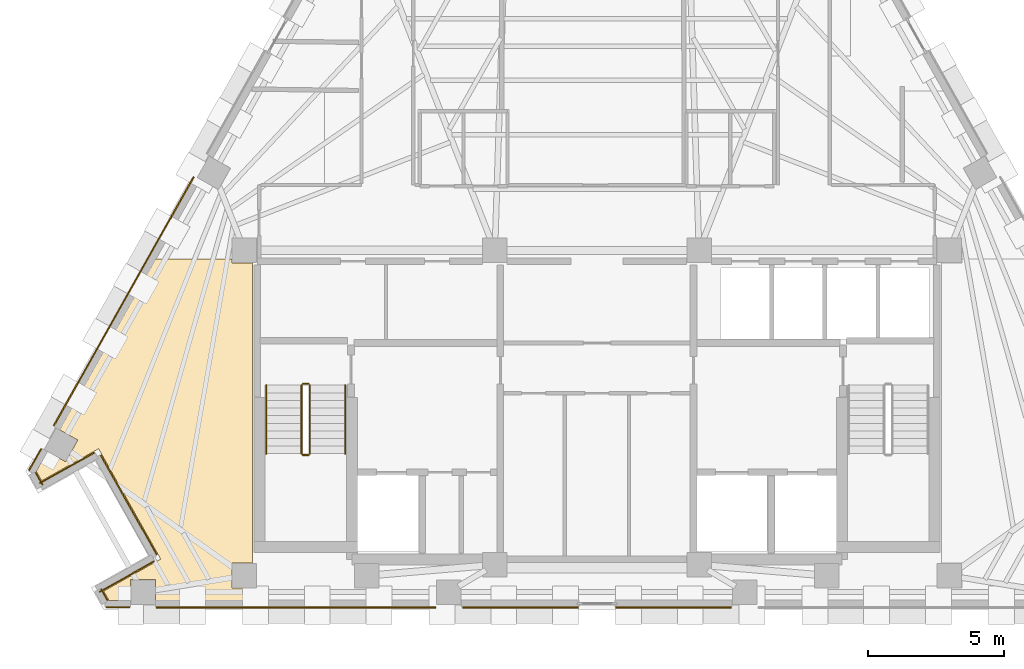
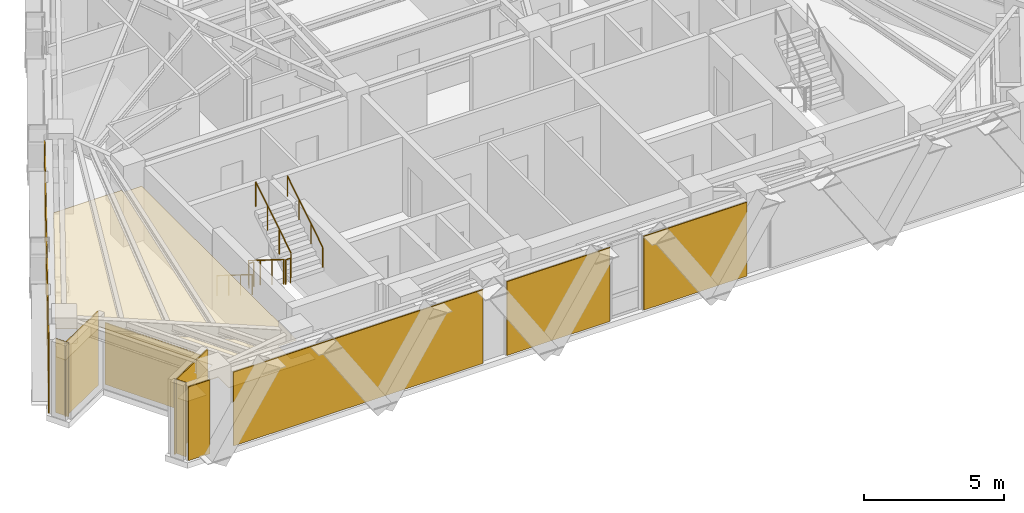
# One storey, part 10 of 12: 12 coverings, 6 railings.
"""IFC4 building model written with IfcOpenShell, lengths in metres."""

import ifcopenshell
import ifcopenshell.guid

model = None  # the IFC model being written
_history = None  # IfcOwnerHistory: only IFC2X3 demands one
_inside = {}  # id of a spatial element -> (the spatial element, [elements in it])
_under = {}  # id of a project, library or spatial element -> (it, [spatial elements below it])
_declared = {}  # id of a project -> (the project, [libraries it declares])
_typed = {}  # id of a type object -> (the type object, [elements of that type])
_made_of = {}  # id of a material, layer set ... -> (it, [elements and type objects made of it])


def new_model(schema):
    """Start an empty IFC model of exactly this schema.

    Asked for "IFC4X3", IfcOpenShell would pick the latest addendum, in which some entities
    have other attributes; the version numbers below select the first issue.
    IFC2X3 requires an IfcOwnerHistory on every rooted entity: one is made here for all.
    """
    global model, _history
    if schema == "IFC4X3":
        model = ifcopenshell.file(schema_version=(4, 3, 0, 0))
    else:
        model = ifcopenshell.file(schema=schema)
    _inside.clear()
    _under.clear()
    _declared.clear()
    _typed.clear()
    _made_of.clear()
    _history = None
    if model.schema == "IFC2X3":
        org = make("IfcOrganization", Name="unknown")
        user = make(
            "IfcPersonAndOrganization",
            ThePerson=make("IfcPerson", FamilyName="unknown"),
            TheOrganization=org,
        )
        app = make(
            "IfcApplication",
            ApplicationDeveloper=org,
            Version="unknown",
            ApplicationFullName="unknown",
            ApplicationIdentifier="unknown",
        )
        _history = make(
            "IfcOwnerHistory",
            OwningUser=user,
            OwningApplication=app,
            ChangeAction="ADDED",
            CreationDate=0,
        )
    return model


def make(cls, **values):
    """One entity of the class cls with the attributes given. An attribute that is None is left unset."""
    return model.create_entity(
        cls, **{name: value for name, value in values.items() if value is not None}
    )


def rooted(cls, **values):
    """An entity with a GlobalId (a new one), such as an element, a storey or a relation."""
    return make(cls, GlobalId=ifcopenshell.guid.new(), OwnerHistory=_history, **values)


def si_unit(unit_type, name, prefix=None):
    """IfcSIUnit, for example si_unit("LENGTHUNIT", "METRE", prefix="MILLI")."""
    return make("IfcSIUnit", UnitType=unit_type, Prefix=prefix, Name=name)


def assignment(units):
    """IfcUnitAssignment: the units of a project."""
    return None if units is None else make("IfcUnitAssignment", Units=units)


def point(xyz):
    """IfcCartesianPoint."""
    return None if xyz is None else make("IfcCartesianPoint", Coordinates=xyz)


def direction(xyz):
    """IfcDirection."""
    return None if xyz is None else make("IfcDirection", DirectionRatios=xyz)


def frame(location, z_axis=None, x_axis=None):
    """IfcAxis2Placement3D, a coordinate frame: its origin and axes. An axis left out is left unset."""
    return make(
        "IfcAxis2Placement3D",
        Location=point(location),
        Axis=direction(z_axis),
        RefDirection=direction(x_axis),
    )


def frame_2d(location, x_axis=None):
    """IfcAxis2Placement2D, a coordinate frame in the plane: its origin and x axis."""
    return make(
        "IfcAxis2Placement2D", Location=point(location), RefDirection=direction(x_axis)
    )


def origin():
    """The frame at (0, 0, 0) with its axes left unset."""
    return frame((0.0, 0.0, 0.0))


def origin_2d():
    """The frame at (0, 0) in the plane with its x axis left unset."""
    return frame_2d((0.0, 0.0))


def place(relative_to, where):
    """IfcLocalPlacement: puts the frame where relative to a parent placement (None: the world)."""
    return make(
        "IfcLocalPlacement", PlacementRelTo=relative_to, RelativePlacement=where
    )


def context(
    kind, dimensions, precision=None, world=None, true_north=None, identifier=None
):
    """IfcGeometricRepresentationContext, for example the 3D "Model" context."""
    return make(
        "IfcGeometricRepresentationContext",
        ContextIdentifier=identifier,
        ContextType=kind,
        CoordinateSpaceDimension=dimensions,
        Precision=precision,
        WorldCoordinateSystem=world,
        TrueNorth=true_north,
    )


def subcontext(parent, identifier, kind, view, scale=None):
    """IfcGeometricRepresentationSubContext, for example "Body" below "Model"."""
    return make(
        "IfcGeometricRepresentationSubContext",
        ContextIdentifier=identifier,
        ContextType=kind,
        ParentContext=parent,
        TargetScale=scale,
        TargetView=view,
    )


def project(units=None, contexts=None):
    """IfcProject with its units and contexts."""
    return rooted(
        "IfcProject",
        Name="project",
        RepresentationContexts=contexts,
        UnitsInContext=assignment(units),
    )


def spatial(cls, under=None, at=None, **own):
    """A site, building, storey or space (cls), placed at a placement, below another one or the project."""
    s = rooted(cls, ObjectPlacement=at, **own)
    if under is not None:
        _under.setdefault(under.id(), (under, []))[1].append(s)
    return s


def polyline(points):
    """IfcPolyline through the points."""
    return make("IfcPolyline", Points=[point(p) for p in points])


def profile(cls, at=None, kind="AREA", **sizes):
    """A parametric profile (cls). Its sizes go by their IFC names, for example OverallWidth=200.0."""
    return make(cls, ProfileType=kind, Position=at, **sizes)


def circle(**sizes):
    """IfcCircleProfileDef."""
    return profile("IfcCircleProfileDef", **sizes)


def outline(outer, holes=None, kind="AREA"):
    """IfcArbitraryClosedProfileDef: a profile drawn as a closed curve; with holes, ...WithVoids."""
    if holes is None:
        return make("IfcArbitraryClosedProfileDef", ProfileType=kind, OuterCurve=outer)
    return make(
        "IfcArbitraryProfileDefWithVoids",
        ProfileType=kind,
        OuterCurve=outer,
        InnerCurves=holes,
    )


def extrude(swept, where, along, depth):
    """IfcExtrudedAreaSolid: the profile swept, set in the frame where, extruded along a direction by depth."""
    return make(
        "IfcExtrudedAreaSolid",
        SweptArea=swept,
        Position=where,
        ExtrudedDirection=direction(along),
        Depth=depth,
    )


def shape(context_of_items, identifier, shape_type, items):
    """IfcShapeRepresentation: the items that make up one representation, for example the "Body"."""
    return make(
        "IfcShapeRepresentation",
        ContextOfItems=context_of_items,
        RepresentationIdentifier=identifier,
        RepresentationType=shape_type,
        Items=items,
    )


def material(Name=None, Category=None):
    """IfcMaterial."""
    return make("IfcMaterial", Name=Name, Category=Category)


def layer(
    of_material, thickness, ventilated=None, Name=None, Category=None, Priority=None
):
    """IfcMaterialLayer: one layer of a wall or slab, of a material (None: an air gap)."""
    return make(
        "IfcMaterialLayer",
        Material=of_material,
        LayerThickness=thickness,
        IsVentilated=ventilated,
        Name=Name,
        Category=Category,
        Priority=Priority,
    )


def layer_set(layers, Name=None):
    """IfcMaterialLayerSet."""
    return make("IfcMaterialLayerSet", MaterialLayers=layers, LayerSetName=Name)


def made_of(thing, what):
    """Note that an element or type object is made of a material, layer set ...; save() writes the relation."""
    if what is not None:
        _made_of.setdefault(what.id(), (what, []))[1].append(thing)
    return thing


def type_object(cls, material=None, **own):
    """A type object (cls), such as IfcWallType, which elements share."""
    return made_of(rooted(cls, **own), material)


def element(
    cls,
    number,
    at=None,
    inside=None,
    cuts=None,
    type_object=None,
    material=None,
    context=None,
    identifier="Body",
    shape_type=None,
    held_by="IfcProductDefinitionShape",
    body=None,
    shapes=None,
    **own,
):
    """One element of the class cls, such as IfcWall. Its Tag is "e" and its number.

    at: its placement. inside: the storey or other place that contains it. cuts: it is an
    opening in that element (IfcRelVoidsElement). A single representation is given by context,
    identifier, shape_type and body (its items); several are given by shapes. held_by: the class
    of the entity that holds the representations. save() writes the other relations.
    """
    e = rooted(cls, Tag="e%d" % number, ObjectPlacement=at, **own)
    if body is not None:
        shapes = [shape(context, identifier, shape_type, body)]
    if shapes is not None:
        e.Representation = make(held_by, Representations=shapes)
    if inside is not None:
        _inside.setdefault(inside.id(), (inside, []))[1].append(e)
    if cuts is not None:
        rooted(
            "IfcRelVoidsElement", RelatingBuildingElement=cuts, RelatedOpeningElement=e
        )
    if type_object is not None:
        _typed.setdefault(type_object.id(), (type_object, []))[1].append(e)
    return made_of(e, material)


def aggregate(whole, parts):
    """IfcRelAggregates: a whole, such as a stair, and the parts it consists of."""
    return rooted("IfcRelAggregates", RelatingObject=whole, RelatedObjects=parts)


def save(model, path):
    """Write the relations noted so far, then the file.

    IfcRelAggregates (storeys below a building ...), IfcRelContainedInSpatialStructure (elements
    in a storey), IfcRelDefinesByType, IfcRelAssociatesMaterial and IfcRelDeclares: one each for
    every whole, place, type object, material and project.
    """
    for whole, parts in _under.values():
        aggregate(whole, parts)
    for where, things in _inside.values():
        rooted(
            "IfcRelContainedInSpatialStructure",
            RelatedElements=things,
            RelatingStructure=where,
        )
    for kind, things in _typed.values():
        rooted("IfcRelDefinesByType", RelatedObjects=things, RelatingType=kind)
    for what, things in _made_of.values():
        rooted("IfcRelAssociatesMaterial", RelatedObjects=things, RelatingMaterial=what)
    for by, libraries in _declared.values():
        rooted("IfcRelDeclares", RelatingContext=by, RelatedDefinitions=libraries)
    model.write(path)


model = new_model("IFC4")

# Units and contexts
model_context = context("Model", 3, precision=1e-05, world=origin(), true_north=direction((0.0, 1.0)))
body_context = subcontext(model_context, "Body", "Model", "MODEL_VIEW")
ifc_project = project(units=[si_unit("LENGTHUNIT", "METRE"), si_unit("AREAUNIT", "SQUARE_METRE"), si_unit("VOLUMEUNIT", "CUBIC_METRE"), si_unit("PLANEANGLEUNIT", "RADIAN"), si_unit("MASSUNIT", "GRAM", prefix="KILO")], contexts=[model_context])

# Site, building, storey
site_placement = place(None, origin())
site = spatial("IfcSite", under=ifc_project, at=site_placement, CompositionType="ELEMENT")
building_placement = place(site_placement, origin())
building = spatial("IfcBuilding", under=site, at=building_placement, Name="Quenlor Broadcast Tower", CompositionType="ELEMENT")
storey_placement = place(building_placement, frame((0.0, 0.0, 200.89990234375)))
storey = spatial("IfcBuildingStorey", under=building, at=storey_placement, Name="L55", CompositionType="ELEMENT", Elevation=200.89990234375)

# Coverings
ifc_material_1 = material(Name="Acoustic Mineral Fibre Board", Category="other")
ifc_layer_1 = layer(ifc_material_1, 0.02490234375)
ifc_layer_set_1 = layer_set([ifc_layer_1], Name="Acoustic Perforated Mineral Tile Ceiling 25")
covering_type_1 = type_object("IfcCoveringType", Name="Acoustic Perforated Mineral Tile Ceiling 25", PredefinedType="CEILING", material=ifc_layer_set_1)
covering_1_placement = place(storey_placement, frame((0.0, 0.0, 2.375)))
element("IfcCovering", 1, at=covering_1_placement, inside=storey, type_object=covering_type_1, Name="L55 Acoustic Ceiling L55-32-2", PredefinedType="CEILING", context=body_context, shape_type="SweptSolid", body=[
    extrude(outline(polyline([(-13.407958984375, -5.258056640625), (-12.64990234375, -5.258056640625), (-12.64990234375, -16.2919921875), (-13.407958984375, -16.2919921875), (-13.407958984375, -17.2080078125), (-12.64990234375, -17.2080078125), (-12.64990234375, -17.659912109375), (-16.218017578125, -17.659912109375), (-16.218017578125, -16.89208984375), (-17.1337890625, -16.89208984375), (-17.1337890625, -17.659912109375), (-17.927001953125, -17.659912109375), (-18.120849609375, -17.315673828125), (-16.029052734375, -16.138916015625), (-18.30859375, -12.08642578125), (-20.400390625, -13.26318359375), (-20.597900390625, -12.912109375), (-20.191162109375, -12.18896484375), (-19.52197265625, -12.5654296875), (-19.07275390625, -11.76708984375), (-19.7421875, -11.390625), (-16.21484375, -5.1201171875), (-13.407958984375, -5.1201171875), (-13.407958984375, -5.258056640625)])), origin(), (0.0, 0.0, 1.0), 0.025146484375),
])
ifc_material_2 = material(Name="Architectural Terracotta Ceramic", Category="masonry")
ifc_layer_2 = layer(ifc_material_2, 0.044921875)
ifc_layer_set_2 = layer_set([ifc_layer_2], Name="Fluted Terracotta Rainscreen Cladding Panel")
covering_type_2 = type_object("IfcCoveringType", Name="Fluted Terracotta Rainscreen Cladding Panel", PredefinedType="CLADDING", material=ifc_layer_set_2)
covering_2_placement = place(storey_placement, frame((0.0, 0.0, 0.02001953125)))
element("IfcCovering", 2, at=covering_2_placement, inside=storey, type_object=covering_type_2, Name="L55 Terracotta Rainscreen Cladding L55-SHD-SS1", PredefinedType="CLADDING", context=body_context, shape_type="SweptSolid", body=[
    extrude(outline(polyline([(-17.160888671875, -17.886962890625), (-18.035888671875, -17.886962890625), (-18.035888671875, -17.931884765625), (-17.160888671875, -17.931884765625), (-17.160888671875, -17.886962890625)])), origin(), (0.0, 0.0, 1.0), 3.2099609375),
])
covering_3_placement = place(storey_placement, frame((0.0, 0.0, 0.02001953125)))
element("IfcCovering", 3, at=covering_3_placement, inside=storey, type_object=covering_type_2, Name="L55 Terracotta Rainscreen Cladding L55-EW-SC", PredefinedType="CLADDING", context=body_context, shape_type="SweptSolid", body=[
    extrude(outline(polyline([(-5.9228515625, -17.89697265625), (-16.19091796875, -17.89697265625), (-16.19091796875, -17.94189453125), (-5.9228515625, -17.94189453125), (-5.9228515625, -17.89697265625)])), origin(), (0.0, 0.0, 1.0), 3.2099609375),
])
covering_4_placement = place(storey_placement, frame((0.0, 0.0, 0.02001953125)))
element("IfcCovering", 4, at=covering_4_placement, inside=storey, type_object=covering_type_2, Name="L55 Terracotta Rainscreen Cladding L55-S-SP1", PredefinedType="CLADDING", context=body_context, shape_type="SweptSolid", body=[
    extrude(outline(polyline([(4.937744140625, -17.89697265625), (0.6923828125, -17.89697265625), (0.6923828125, -17.94189453125), (4.937744140625, -17.94189453125), (4.937744140625, -17.89697265625)])), origin(), (0.0, 0.0, 1.0), 3.2099609375),
])
covering_5_placement = place(storey_placement, frame((0.0, 0.0, 0.02001953125)))
element("IfcCovering", 5, at=covering_5_placement, inside=storey, type_object=covering_type_2, Name="L55 Terracotta Rainscreen Cladding L55-S-SP2", PredefinedType="CLADDING", context=body_context, shape_type="SweptSolid", body=[
    extrude(outline(polyline([(-0.6923828125, -17.89697265625), (-4.937744140625, -17.89697265625), (-4.937744140625, -17.94189453125), (-0.6923828125, -17.94189453125), (-0.6923828125, -17.89697265625)])), origin(), (0.0, 0.0, 1.0), 3.2099609375),
])
covering_6_placement = place(storey_placement, frame((0.0, 0.0, 0.02001953125)))
element("IfcCovering", 6, at=covering_6_placement, inside=storey, type_object=covering_type_2, Name="L55 Terracotta Rainscreen Cladding L55-SHD-NWS0", PredefinedType="CLADDING", context=body_context, shape_type="SweptSolid", body=[
    extrude(outline(polyline([(-20.845458984375, -12.888916015625), (-20.402099609375, -12.10107421875), (-20.44140625, -12.0791015625), (-20.884521484375, -12.866943359375), (-20.845458984375, -12.888916015625)])), origin(), (0.0, 0.0, 1.0), 3.2099609375),
])
covering_7_placement = place(storey_placement, frame((0.0, 0.0, 0.02001953125)))
element("IfcCovering", 7, at=covering_7_placement, inside=storey, type_object=covering_type_2, Name="L55 Terracotta Rainscreen Cladding L55-EW-NWA", PredefinedType="CLADDING", context=body_context, shape_type="SweptSolid", body=[
    extrude(outline(polyline([(-19.935302734375, -11.250732421875), (-14.7919921875, -2.106689453125), (-14.831298828125, -2.084716796875), (-19.974609375, -11.228759765625), (-19.935302734375, -11.250732421875)])), origin(), (0.0, 0.0, 1.0), 3.2099609375),
])
covering_8_placement = place(storey_placement, frame((0.0, 0.0, 0.02001953125)))
element("IfcCovering", 8, at=covering_8_placement, inside=storey, type_object=covering_type_2, Name="L55 Terracotta Rainscreen Cladding L55-CNR-12", PredefinedType="CLADDING", context=body_context, shape_type="SweptSolid", body=[
    extrude(outline(polyline([(-20.64306640625, -12.970458984375), (-20.38623046875, -13.427001953125), (-20.346923828125, -13.405029296875), (-20.60400390625, -12.948486328125), (-20.64306640625, -12.970458984375)])), origin(), (0.0, 0.0, 1.0), 3.2099609375),
])
covering_9_placement = place(storey_placement, frame((0.0, 0.0, 0.02001953125)))
element("IfcCovering", 9, at=covering_9_placement, inside=storey, type_object=covering_type_2, Name="L55 Terracotta Rainscreen Cladding L55-CNR-13", PredefinedType="CLADDING", context=body_context, shape_type="SweptSolid", body=[
    extrude(outline(polyline([(-20.462890625, -13.376220703125), (-18.45849609375, -12.248779296875), (-18.48046875, -12.20947265625), (-20.485107421875, -13.337158203125), (-20.462890625, -13.376220703125)])), origin(), (0.0, 0.0, 1.0), 3.2099609375),
])
covering_10_placement = place(storey_placement, frame((0.0, 0.0, 0.02001953125)))
element("IfcCovering", 10, at=covering_10_placement, inside=storey, type_object=covering_type_2, Name="L55 Terracotta Rainscreen Cladding L55-CNR-14", PredefinedType="CLADDING", context=body_context, shape_type="SweptSolid", body=[
    extrude(outline(polyline([(-18.245361328125, -12.337646484375), (-16.19140625, -15.9892578125), (-16.152099609375, -15.96728515625), (-18.206298828125, -12.315673828125), (-18.245361328125, -12.337646484375)])), origin(), (0.0, 0.0, 1.0), 2.681884765625),
])
covering_11_placement = place(storey_placement, frame((0.0, 0.0, 0.02001953125)))
element("IfcCovering", 11, at=covering_11_placement, inside=storey, type_object=covering_type_2, Name="L55 Terracotta Rainscreen Cladding L55-CNR-15", PredefinedType="CLADDING", context=body_context, shape_type="SweptSolid", body=[
    extrude(outline(polyline([(-16.2802734375, -16.2021484375), (-18.284912109375, -17.329833984375), (-18.262939453125, -17.368896484375), (-16.25830078125, -16.241455078125), (-16.2802734375, -16.2021484375)])), origin(), (0.0, 0.0, 1.0), 3.2099609375),
])
covering_12_placement = place(storey_placement, frame((0.0, 0.0, 0.02001953125)))
element("IfcCovering", 12, at=covering_12_placement, inside=storey, type_object=covering_type_2, Name="L55 Terracotta Rainscreen Cladding L55-CNR-16", PredefinedType="CLADDING", context=body_context, shape_type="SweptSolid", body=[
    extrude(outline(polyline([(-18.234130859375, -17.2529296875), (-17.99853515625, -17.671875), (-17.959228515625, -17.64990234375), (-18.19482421875, -17.23095703125), (-18.234130859375, -17.2529296875)])), origin(), (0.0, 0.0, 1.0), 3.2099609375),
])

# Railings
ifc_material_3 = material(Name="Anodised Aluminium", Category="aluminium")
railing_type_1 = type_object("IfcRailingType", Name="Stainless Aluminium Wall Handrail 900", PredefinedType="HANDRAIL", material=ifc_material_3)
railing_1_placement = place(storey_placement, frame((-12.14990234375, -9.75, 0.175048828125)))
element("IfcRailing", 13, at=railing_1_placement, inside=storey, type_object=railing_type_1, Name="L55 ST-1 stair handrail 1", PredefinedType="HANDRAIL", context=body_context, shape_type="SweptSolid", body=[
    extrude(circle(Radius=0.02392578125, at=origin_2d()), frame((0.0, 0.0, 0.8759765625), z_axis=(0.0, -0.848007534815, 0.529984170421), x_axis=(1.0, 0.0, 0.0)), (0.0, 0.0, 1.0), 2.9716796875),
    extrude(circle(Radius=0.02099609375, at=origin_2d()), origin(), (0.0, 0.0, 1.0), 0.851806640625),
    extrude(circle(Radius=0.02099609375, at=origin_2d()), frame((0.0, -0.840087890625, 0.52490234375)), (0.0, 0.0, 1.0), 0.851806640625),
    extrude(circle(Radius=0.02099609375, at=origin_2d()), frame((0.0, -1.679931640625, 1.050048828125)), (0.0, 0.0, 1.0), 0.851806640625),
    extrude(circle(Radius=0.02099609375, at=origin_2d()), frame((0.0, -2.52001953125, 1.574951171875)), (0.0, 0.0, 1.0), 0.851806640625),
])
railing_2_placement = place(storey_placement, frame((-9.25, -12.27001953125, 1.925048828125)))
element("IfcRailing", 14, at=railing_2_placement, inside=storey, type_object=railing_type_1, Name="L55 ST-1 stair handrail 2", PredefinedType="HANDRAIL", context=body_context, shape_type="SweptSolid", body=[
    extrude(circle(Radius=0.02392578125, at=origin_2d()), frame((0.0, 0.0, 0.8759765625), z_axis=(0.0, 0.848007534815, 0.529984170421), x_axis=(-1.0, 0.0, 0.0)), (0.0, 0.0, 1.0), 2.9716796875),
    extrude(circle(Radius=0.02099609375, at=origin_2d()), origin(), (0.0, 0.0, 1.0), 0.851806640625),
    extrude(circle(Radius=0.02099609375, at=origin_2d()), frame((0.0, 0.840087890625, 0.52490234375)), (0.0, 0.0, 1.0), 0.851806640625),
    extrude(circle(Radius=0.02099609375, at=origin_2d()), frame((0.0, 1.679931640625, 1.050048828125)), (0.0, 0.0, 1.0), 0.851806640625),
    extrude(circle(Radius=0.02099609375, at=origin_2d()), frame((0.0, 2.52001953125, 1.574951171875)), (0.0, 0.0, 1.0), 0.851806640625),
])
ifc_material_4 = material(Name="Steel S355", Category="steel")
railing_type_2 = type_object("IfcRailingType", Name="Tubular Steel S355 Stair Guardrail 1100", PredefinedType="BALUSTRADE", material=ifc_material_4)
railing_3_placement = place(storey_placement, frame((-10.85009765625, -9.75, 0.175048828125)))
element("IfcRailing", 15, at=railing_3_placement, inside=storey, type_object=railing_type_2, Name="L55 ST-1 stair guard 1", PredefinedType="BALUSTRADE", context=body_context, shape_type="SweptSolid", body=[
    extrude(circle(Radius=0.02392578125, at=origin_2d()), frame((0.0, 0.0, 1.076171875), z_axis=(0.0, -0.848007534815, 0.529984170421), x_axis=(1.0, 0.0, 0.0)), (0.0, 0.0, 1.0), 2.9716796875),
    extrude(circle(Radius=0.02099609375, at=origin_2d()), origin(), (0.0, 0.0, 1.0), 1.052001953125),
    extrude(circle(Radius=0.02099609375, at=origin_2d()), frame((0.0, -0.840087890625, 0.52490234375)), (0.0, 0.0, 1.0), 1.052001953125),
    extrude(circle(Radius=0.02099609375, at=origin_2d()), frame((0.0, -1.679931640625, 1.050048828125)), (0.0, 0.0, 1.0), 1.052001953125),
    extrude(circle(Radius=0.02099609375, at=origin_2d()), frame((0.0, -2.52001953125, 1.574951171875)), (0.0, 0.0, 1.0), 1.052001953125),
])
railing_4_placement = place(storey_placement, frame((-10.800048828125, -12.320068359375, 1.75)))
element("IfcRailing", 16, at=railing_4_placement, inside=storey, type_object=railing_type_2, Name="L55 ST-1 stair guard 2", PredefinedType="BALUSTRADE", context=body_context, shape_type="SweptSolid", body=[
    extrude(circle(Radius=0.02392578125, at=origin_2d()), frame((0.0, 0.0, 1.076171875), z_axis=(1.0, 0.0, 0.0), x_axis=(0.0, 1.0, 0.0)), (0.0, 0.0, 1.0), 0.199951171875),
    extrude(circle(Radius=0.02099609375, at=origin_2d()), origin(), (0.0, 0.0, 1.0), 1.052001953125),
    extrude(circle(Radius=0.02099609375, at=origin_2d()), frame((0.199951171875, 0.0, 0.0)), (0.0, 0.0, 1.0), 1.052001953125),
])
railing_5_placement = place(storey_placement, frame((-10.550048828125, -12.27001953125, 1.925048828125)))
element("IfcRailing", 17, at=railing_5_placement, inside=storey, type_object=railing_type_2, Name="L55 ST-1 stair guard 3", PredefinedType="BALUSTRADE", context=body_context, shape_type="SweptSolid", body=[
    extrude(circle(Radius=0.02392578125, at=origin_2d()), frame((0.0, 0.0, 1.076171875), z_axis=(0.0, 0.848007534815, 0.529984170421), x_axis=(-1.0, 0.0, 0.0)), (0.0, 0.0, 1.0), 2.9716796875),
    extrude(circle(Radius=0.02099609375, at=origin_2d()), origin(), (0.0, 0.0, 1.0), 1.052001953125),
    extrude(circle(Radius=0.02099609375, at=origin_2d()), frame((0.0, 0.840087890625, 0.52490234375)), (0.0, 0.0, 1.0), 1.052001953125),
    extrude(circle(Radius=0.02099609375, at=origin_2d()), frame((0.0, 1.679931640625, 1.050048828125)), (0.0, 0.0, 1.0), 1.052001953125),
    extrude(circle(Radius=0.02099609375, at=origin_2d()), frame((0.0, 2.52001953125, 1.574951171875)), (0.0, 0.0, 1.0), 1.052001953125),
])
railing_6_placement = place(storey_placement, frame((-10.800048828125, -9.699951171875, 0.0)))
element("IfcRailing", 18, at=railing_6_placement, inside=storey, type_object=railing_type_2, Name="L55 ST-1 stair guard 4", PredefinedType="BALUSTRADE", context=body_context, shape_type="SweptSolid", body=[
    extrude(circle(Radius=0.02392578125, at=origin_2d()), frame((0.0, 0.0, 1.076171875), z_axis=(1.0, 0.0, 0.0), x_axis=(0.0, 1.0, 0.0)), (0.0, 0.0, 1.0), 0.199951171875),
    extrude(circle(Radius=0.02099609375, at=origin_2d()), origin(), (0.0, 0.0, 1.0), 1.052001953125),
    extrude(circle(Radius=0.02099609375, at=origin_2d()), frame((0.199951171875, 0.0, 0.0)), (0.0, 0.0, 1.0), 1.052001953125),
])

save(model, "model.ifc")
